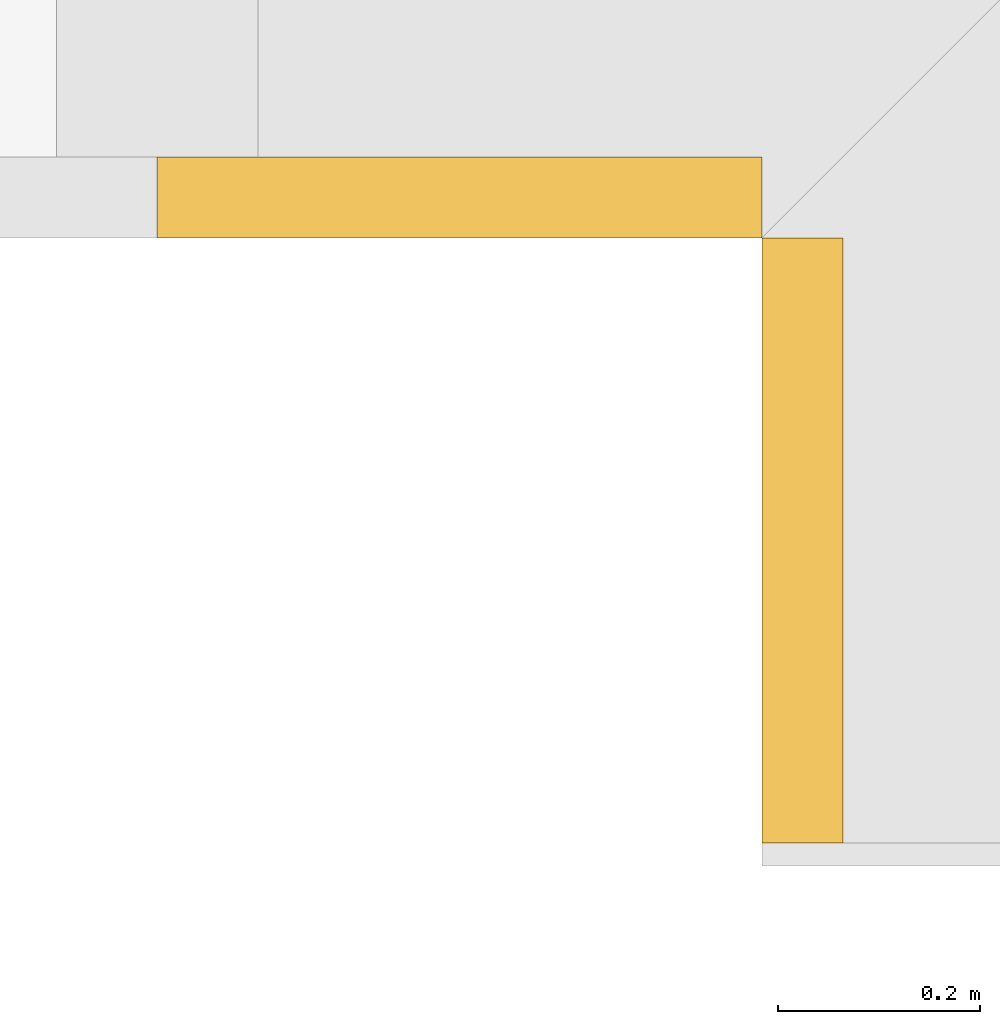
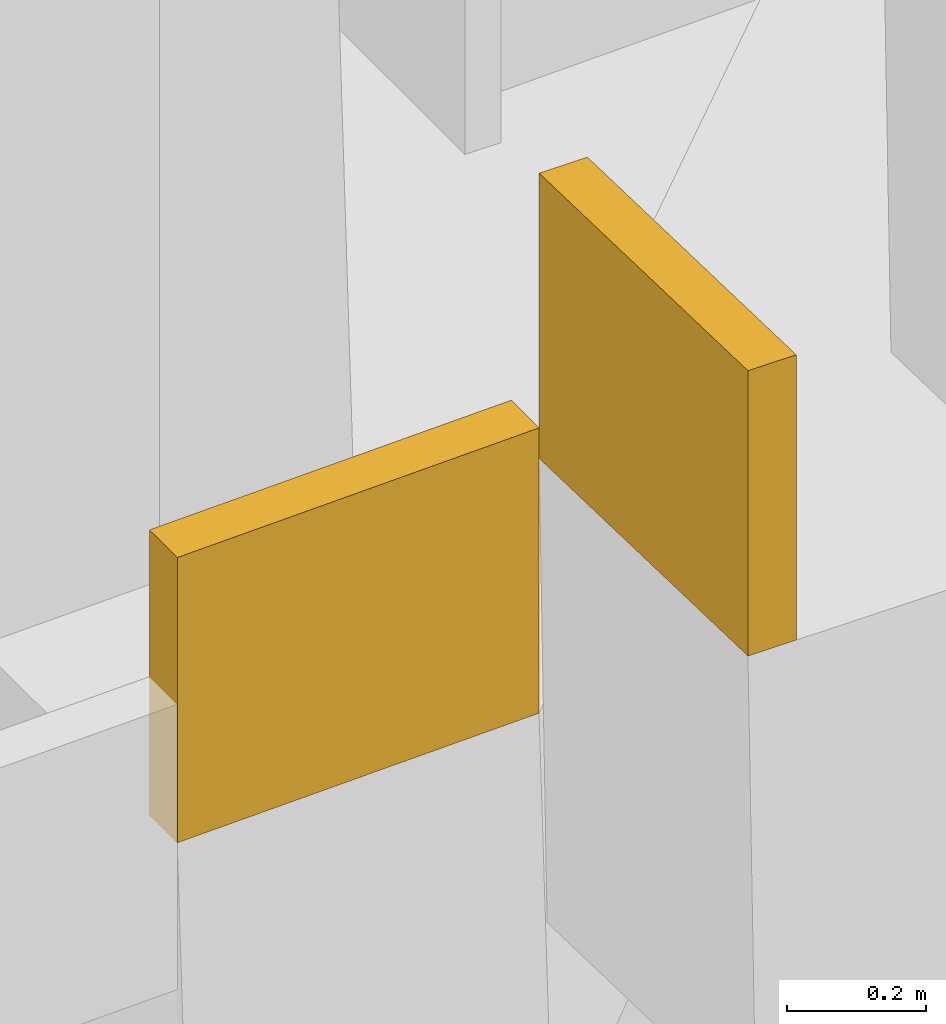
# One storey, part 26 of 27: 2 coverings.
"""IFC4 building model written with IfcOpenShell, lengths in metres."""

import ifcopenshell
import ifcopenshell.guid

model = None  # the IFC model being written
_history = None  # IfcOwnerHistory: only IFC2X3 demands one
_inside = {}  # id of a spatial element -> (the spatial element, [elements in it])
_under = {}  # id of a project, library or spatial element -> (it, [spatial elements below it])
_declared = {}  # id of a project -> (the project, [libraries it declares])
_typed = {}  # id of a type object -> (the type object, [elements of that type])
_made_of = {}  # id of a material, layer set ... -> (it, [elements and type objects made of it])


def new_model(schema):
    """Start an empty IFC model of exactly this schema.

    Asked for "IFC4X3", IfcOpenShell would pick the latest addendum, in which some entities
    have other attributes; the version numbers below select the first issue.
    IFC2X3 requires an IfcOwnerHistory on every rooted entity: one is made here for all.
    """
    global model, _history
    if schema == "IFC4X3":
        model = ifcopenshell.file(schema_version=(4, 3, 0, 0))
    else:
        model = ifcopenshell.file(schema=schema)
    _inside.clear()
    _under.clear()
    _declared.clear()
    _typed.clear()
    _made_of.clear()
    _history = None
    if model.schema == "IFC2X3":
        org = make("IfcOrganization", Name="unknown")
        user = make(
            "IfcPersonAndOrganization",
            ThePerson=make("IfcPerson", FamilyName="unknown"),
            TheOrganization=org,
        )
        app = make(
            "IfcApplication",
            ApplicationDeveloper=org,
            Version="unknown",
            ApplicationFullName="unknown",
            ApplicationIdentifier="unknown",
        )
        _history = make(
            "IfcOwnerHistory",
            OwningUser=user,
            OwningApplication=app,
            ChangeAction="ADDED",
            CreationDate=0,
        )
    return model


def make(cls, **values):
    """One entity of the class cls with the attributes given. An attribute that is None is left unset."""
    return model.create_entity(
        cls, **{name: value for name, value in values.items() if value is not None}
    )


def rooted(cls, **values):
    """An entity with a GlobalId (a new one), such as an element, a storey or a relation."""
    return make(cls, GlobalId=ifcopenshell.guid.new(), OwnerHistory=_history, **values)


def si_unit(unit_type, name, prefix=None):
    """IfcSIUnit, for example si_unit("LENGTHUNIT", "METRE", prefix="MILLI")."""
    return make("IfcSIUnit", UnitType=unit_type, Prefix=prefix, Name=name)


def assignment(units):
    """IfcUnitAssignment: the units of a project."""
    return None if units is None else make("IfcUnitAssignment", Units=units)


def point(xyz):
    """IfcCartesianPoint."""
    return None if xyz is None else make("IfcCartesianPoint", Coordinates=xyz)


def direction(xyz):
    """IfcDirection."""
    return None if xyz is None else make("IfcDirection", DirectionRatios=xyz)


def frame(location, z_axis=None, x_axis=None):
    """IfcAxis2Placement3D, a coordinate frame: its origin and axes. An axis left out is left unset."""
    return make(
        "IfcAxis2Placement3D",
        Location=point(location),
        Axis=direction(z_axis),
        RefDirection=direction(x_axis),
    )


def origin():
    """The frame at (0, 0, 0) with its axes left unset."""
    return frame((0.0, 0.0, 0.0))


def place(relative_to, where):
    """IfcLocalPlacement: puts the frame where relative to a parent placement (None: the world)."""
    return make(
        "IfcLocalPlacement", PlacementRelTo=relative_to, RelativePlacement=where
    )


def context(
    kind, dimensions, precision=None, world=None, true_north=None, identifier=None
):
    """IfcGeometricRepresentationContext, for example the 3D "Model" context."""
    return make(
        "IfcGeometricRepresentationContext",
        ContextIdentifier=identifier,
        ContextType=kind,
        CoordinateSpaceDimension=dimensions,
        Precision=precision,
        WorldCoordinateSystem=world,
        TrueNorth=true_north,
    )


def subcontext(parent, identifier, kind, view, scale=None):
    """IfcGeometricRepresentationSubContext, for example "Body" below "Model"."""
    return make(
        "IfcGeometricRepresentationSubContext",
        ContextIdentifier=identifier,
        ContextType=kind,
        ParentContext=parent,
        TargetScale=scale,
        TargetView=view,
    )


def project(units=None, contexts=None):
    """IfcProject with its units and contexts."""
    return rooted(
        "IfcProject",
        Name="project",
        RepresentationContexts=contexts,
        UnitsInContext=assignment(units),
    )


def spatial(cls, under=None, at=None, **own):
    """A site, building, storey or space (cls), placed at a placement, below another one or the project."""
    s = rooted(cls, ObjectPlacement=at, **own)
    if under is not None:
        _under.setdefault(under.id(), (under, []))[1].append(s)
    return s


def polyline(points):
    """IfcPolyline through the points."""
    return make("IfcPolyline", Points=[point(p) for p in points])


def outline(outer, holes=None, kind="AREA"):
    """IfcArbitraryClosedProfileDef: a profile drawn as a closed curve; with holes, ...WithVoids."""
    if holes is None:
        return make("IfcArbitraryClosedProfileDef", ProfileType=kind, OuterCurve=outer)
    return make(
        "IfcArbitraryProfileDefWithVoids",
        ProfileType=kind,
        OuterCurve=outer,
        InnerCurves=holes,
    )


def extrude(swept, where, along, depth):
    """IfcExtrudedAreaSolid: the profile swept, set in the frame where, extruded along a direction by depth."""
    return make(
        "IfcExtrudedAreaSolid",
        SweptArea=swept,
        Position=where,
        ExtrudedDirection=direction(along),
        Depth=depth,
    )


def shape(context_of_items, identifier, shape_type, items):
    """IfcShapeRepresentation: the items that make up one representation, for example the "Body"."""
    return make(
        "IfcShapeRepresentation",
        ContextOfItems=context_of_items,
        RepresentationIdentifier=identifier,
        RepresentationType=shape_type,
        Items=items,
    )


def material(Name=None, Category=None):
    """IfcMaterial."""
    return make("IfcMaterial", Name=Name, Category=Category)


def layer(
    of_material, thickness, ventilated=None, Name=None, Category=None, Priority=None
):
    """IfcMaterialLayer: one layer of a wall or slab, of a material (None: an air gap)."""
    return make(
        "IfcMaterialLayer",
        Material=of_material,
        LayerThickness=thickness,
        IsVentilated=ventilated,
        Name=Name,
        Category=Category,
        Priority=Priority,
    )


def layer_set(layers, Name=None):
    """IfcMaterialLayerSet."""
    return make("IfcMaterialLayerSet", MaterialLayers=layers, LayerSetName=Name)


def made_of(thing, what):
    """Note that an element or type object is made of a material, layer set ...; save() writes the relation."""
    if what is not None:
        _made_of.setdefault(what.id(), (what, []))[1].append(thing)
    return thing


def type_object(cls, material=None, **own):
    """A type object (cls), such as IfcWallType, which elements share."""
    return made_of(rooted(cls, **own), material)


def element(
    cls,
    number,
    at=None,
    inside=None,
    cuts=None,
    type_object=None,
    material=None,
    context=None,
    identifier="Body",
    shape_type=None,
    held_by="IfcProductDefinitionShape",
    body=None,
    shapes=None,
    **own,
):
    """One element of the class cls, such as IfcWall. Its Tag is "e" and its number.

    at: its placement. inside: the storey or other place that contains it. cuts: it is an
    opening in that element (IfcRelVoidsElement). A single representation is given by context,
    identifier, shape_type and body (its items); several are given by shapes. held_by: the class
    of the entity that holds the representations. save() writes the other relations.
    """
    e = rooted(cls, Tag="e%d" % number, ObjectPlacement=at, **own)
    if body is not None:
        shapes = [shape(context, identifier, shape_type, body)]
    if shapes is not None:
        e.Representation = make(held_by, Representations=shapes)
    if inside is not None:
        _inside.setdefault(inside.id(), (inside, []))[1].append(e)
    if cuts is not None:
        rooted(
            "IfcRelVoidsElement", RelatingBuildingElement=cuts, RelatedOpeningElement=e
        )
    if type_object is not None:
        _typed.setdefault(type_object.id(), (type_object, []))[1].append(e)
    return made_of(e, material)


def aggregate(whole, parts):
    """IfcRelAggregates: a whole, such as a stair, and the parts it consists of."""
    return rooted("IfcRelAggregates", RelatingObject=whole, RelatedObjects=parts)


def save(model, path):
    """Write the relations noted so far, then the file.

    IfcRelAggregates (storeys below a building ...), IfcRelContainedInSpatialStructure (elements
    in a storey), IfcRelDefinesByType, IfcRelAssociatesMaterial and IfcRelDeclares: one each for
    every whole, place, type object, material and project.
    """
    for whole, parts in _under.values():
        aggregate(whole, parts)
    for where, things in _inside.values():
        rooted(
            "IfcRelContainedInSpatialStructure",
            RelatedElements=things,
            RelatingStructure=where,
        )
    for kind, things in _typed.values():
        rooted("IfcRelDefinesByType", RelatedObjects=things, RelatingType=kind)
    for what, things in _made_of.values():
        rooted("IfcRelAssociatesMaterial", RelatedObjects=things, RelatingMaterial=what)
    for by, libraries in _declared.values():
        rooted("IfcRelDeclares", RelatingContext=by, RelatedDefinitions=libraries)
    model.write(path)


model = new_model("IFC4")

# Units and contexts
model_context = context("Model", 3, precision=1e-05, world=origin(), true_north=direction((0.0, 1.0)))
body_context = subcontext(model_context, "Body", "Model", "MODEL_VIEW")
ifc_project = project(units=[si_unit("LENGTHUNIT", "METRE"), si_unit("AREAUNIT", "SQUARE_METRE"), si_unit("VOLUMEUNIT", "CUBIC_METRE"), si_unit("PLANEANGLEUNIT", "RADIAN"), si_unit("MASSUNIT", "GRAM", prefix="KILO")], contexts=[model_context])

# Site, building, storey
site_placement = place(None, origin())
site = spatial("IfcSite", under=ifc_project, at=site_placement, CompositionType="ELEMENT")
building_placement = place(site_placement, origin())
building = spatial("IfcBuilding", under=site, at=building_placement, Name="Saffron Gate Tower", CompositionType="ELEMENT")
storey_placement = place(building_placement, frame((0.0, 0.0, 134.85009765625)))
storey = spatial("IfcBuildingStorey", under=building, at=storey_placement, Name="L32", CompositionType="ELEMENT", Elevation=134.85009765625)

# Coverings
ifc_material = material(Name="Timber, thermally modified ash", Category="wood")
ifc_layer = layer(ifc_material, 0.080078125)
ifc_layer_set = layer_set([ifc_layer], Name="LD2 ledge planter trough")
covering_type = type_object("IfcCoveringType", Name="LD2 ledge planter trough", PredefinedType="CLADDING", material=ifc_layer_set)
for number, where, z_axis, x_axis, name in (
    (1, (49.800048828125, 32.39990234375, 3.024658203125), (0.0, -1.0, 0.0), (0.999582742162, 0.0, 0.028884971385), "LEDGE planter trough"),
    (2, (50.39990234375, 32.39990234375, 3.488525390625), (-1.0, 0.0, 0.0), (0.0, -0.999582742162, 0.028884971385), "LEDGE planter trough"),
):
    element("IfcCovering", number, at=place(storey_placement, frame(where, z_axis=z_axis, x_axis=x_axis)), inside=storey, type_object=covering_type, Name=name, PredefinedType="CLADDING", context=body_context, shape_type="SweptSolid", body=[
        extrude(outline(polyline([(0.0, 0.0), (0.6001039136866089, 0.0), (0.614546399379222, 0.4997913710809928), (0.014442485692613144, 0.49979137108099286), (0.0, 0.0)])), origin(), (0.0, 0.0, -1.0), 0.080078125),
    ])

save(model, "model.ifc")
